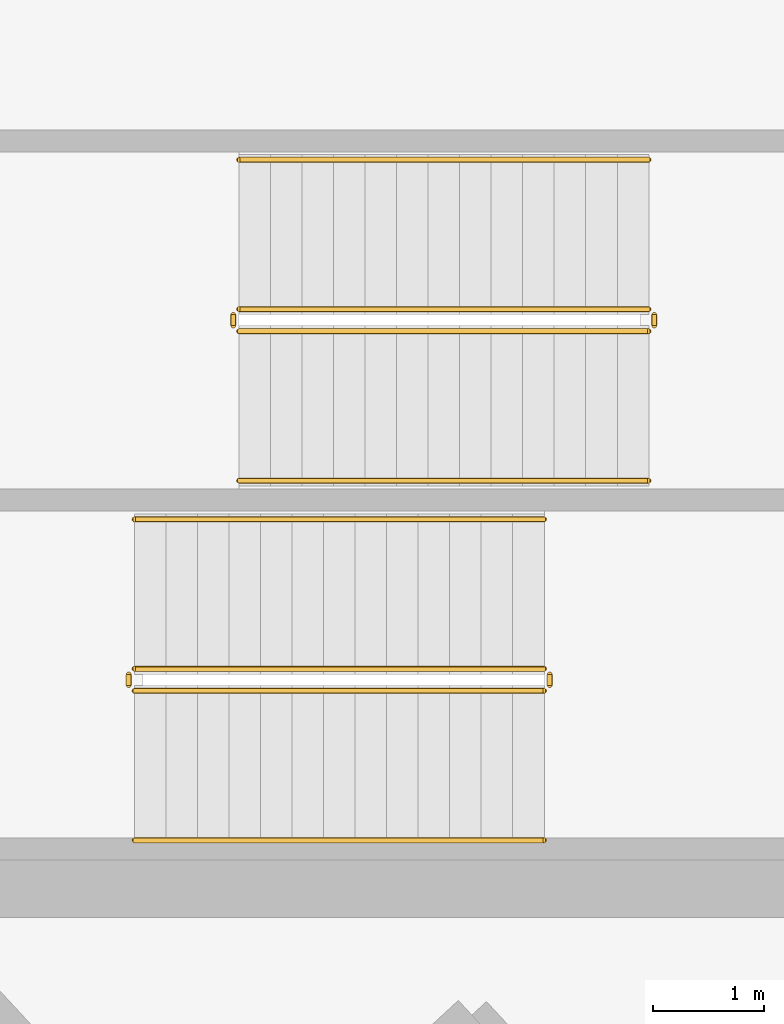
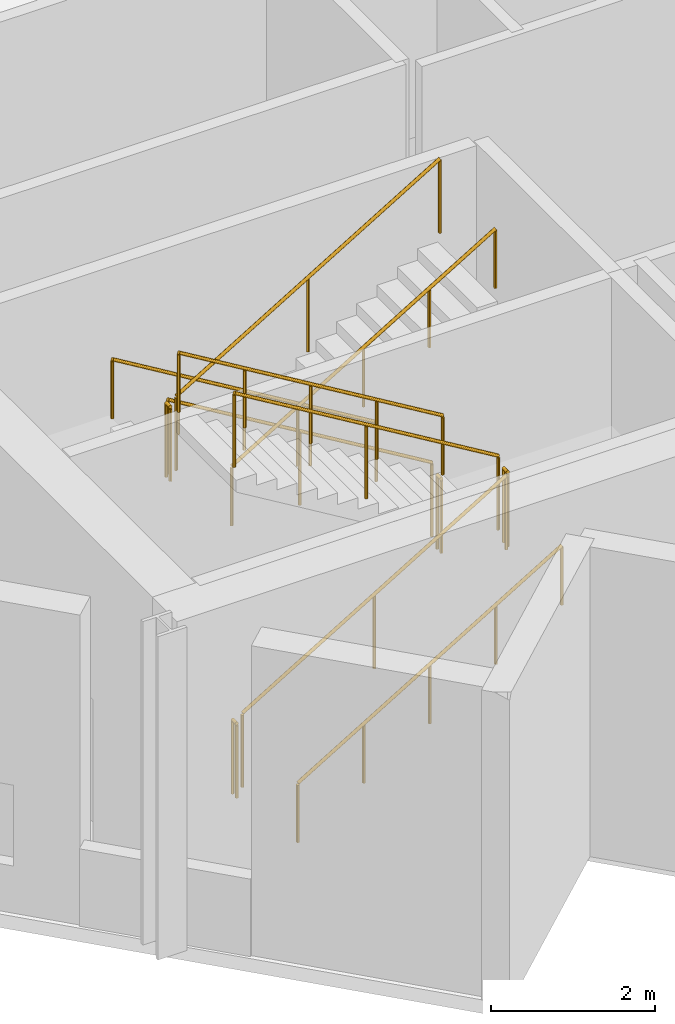
# One storey, part 11 of 12: 12 railings.
"""IFC4 building model written with IfcOpenShell, lengths in metres."""

from ifc_helpers import new_model, si_unit, direction, frame, origin, origin_2d, place, context, subcontext, project, spatial, circle, extrude, material, type_object, element, save


model = new_model("IFC4")

# Units and contexts
model_context = context("Model", 3, precision=1e-05, world=origin(), true_north=direction((0.0, 1.0)))
body_context = subcontext(model_context, "Body", "Model", "MODEL_VIEW")
ifc_project = project(units=[si_unit("LENGTHUNIT", "METRE"), si_unit("AREAUNIT", "SQUARE_METRE"), si_unit("VOLUMEUNIT", "CUBIC_METRE"), si_unit("PLANEANGLEUNIT", "RADIAN"), si_unit("MASSUNIT", "GRAM", prefix="KILO")], contexts=[model_context])

# Site, building, storey
site_placement = place(None, origin())
site = spatial("IfcSite", under=ifc_project, at=site_placement, CompositionType="ELEMENT")
building_placement = place(site_placement, origin())
building = spatial("IfcBuilding", under=site, at=building_placement, Name="Narakoshi Arena Tower", CompositionType="ELEMENT")
storey_placement = place(building_placement, frame((0.0, 0.0, 302.97998046875)))
storey = spatial("IfcBuildingStorey", under=building, at=storey_placement, Name="L82", CompositionType="ELEMENT", Elevation=302.97998046875)

# Railings
ifc_material_1 = material(Name="Clear low-iron laminated structural glass", Category="glass")
railing_type_1 = type_object("IfcRailingType", Name="RL-BAL-1100", PredefinedType="BALUSTRADE", material=ifc_material_1)
railing_1_placement = place(storey_placement, frame((74.39990234375, 36.949951171875, 0.17138671875)))
element("IfcRailing", 1, at=railing_1_placement, inside=storey, type_object=railing_type_1, Name="L82 ST1 stair guard 1", PredefinedType="BALUSTRADE", context=body_context, shape_type="SweptSolid", body=[
    extrude(circle(Radius=0.02392578125, at=origin_2d()), frame((0.0, 0.0, 1.09619140625), z_axis=(0.856934400257, 0.0, 0.515425487977), x_axis=(0.0, 1.0, 0.0)), (0.0, 0.0, 1.0), 4.32373046875),
    extrude(circle(Radius=0.02099609375, at=origin_2d()), origin(), (0.0, 0.0, 1.0), 1.072021484375),
    extrude(circle(Radius=0.02099609375, at=origin_2d()), frame((1.8525390625, 0.0, 1.1142578125)), (0.0, 0.0, 1.0), 1.072021484375),
    extrude(circle(Radius=0.02099609375, at=origin_2d()), frame((3.705078125, 0.0, 2.228515625)), (0.0, 0.0, 1.0), 1.072021484375),
])
railing_2_placement = place(storey_placement, frame((78.155029296875, 37.0, 2.39990234375)))
element("IfcRailing", 2, at=railing_2_placement, inside=storey, type_object=railing_type_1, Name="L82 ST1 stair guard 2", PredefinedType="BALUSTRADE", context=body_context, shape_type="SweptSolid", body=[
    extrude(circle(Radius=0.02392578125, at=origin_2d()), frame((0.0, 0.0, 1.09619140625), z_axis=(0.0, 1.0, 0.0), x_axis=(-1.0, 0.0, 0.0)), (0.0, 0.0, 1.0), 0.10009765625),
    extrude(circle(Radius=0.02099609375, at=origin_2d()), origin(), (0.0, 0.0, 1.0), 1.072021484375),
    extrude(circle(Radius=0.02099609375, at=origin_2d()), frame((0.0, 0.10009765625, 0.0)), (0.0, 0.0, 1.0), 1.072021484375),
])
railing_3_placement = place(storey_placement, frame((78.10498046875, 37.14990234375, 2.571533203125)))
element("IfcRailing", 3, at=railing_3_placement, inside=storey, type_object=railing_type_1, Name="L82 ST1 stair guard 3", PredefinedType="BALUSTRADE", context=body_context, shape_type="SweptSolid", body=[
    extrude(circle(Radius=0.02392578125, at=origin_2d()), frame((0.0, 0.0, 1.09619140625), z_axis=(-0.856934400257, 0.0, 0.515425487977), x_axis=(0.0, -1.0, 0.0)), (0.0, 0.0, 1.0), 4.32373046875),
    extrude(circle(Radius=0.02099609375, at=origin_2d()), origin(), (0.0, 0.0, 1.0), 1.072021484375),
    extrude(circle(Radius=0.02099609375, at=origin_2d()), frame((-1.8525390625, 0.0, 1.1142578125)), (0.0, 0.0, 1.0), 1.072021484375),
    extrude(circle(Radius=0.02099609375, at=origin_2d()), frame((-3.705078125, 0.0, 2.228515625)), (0.0, 0.0, 1.0), 1.072021484375),
])
railing_4_placement = place(storey_placement, frame((74.35009765625, 37.0, 0.0)))
element("IfcRailing", 4, at=railing_4_placement, inside=storey, type_object=railing_type_1, Name="L82 ST1 stair guard 4", PredefinedType="BALUSTRADE", context=body_context, shape_type="SweptSolid", body=[
    extrude(circle(Radius=0.02392578125, at=origin_2d()), frame((0.0, 0.0, 1.09619140625), z_axis=(0.0, 1.0, 0.0), x_axis=(-1.0, 0.0, 0.0)), (0.0, 0.0, 1.0), 0.10009765625),
    extrude(circle(Radius=0.02099609375, at=origin_2d()), origin(), (0.0, 0.0, 1.0), 1.072021484375),
    extrude(circle(Radius=0.02099609375, at=origin_2d()), frame((0.0, 0.10009765625, 0.0)), (0.0, 0.0, 1.0), 1.072021484375),
])
railing_5_placement = place(storey_placement, frame((79.050048828125, 40.39990234375, 0.17138671875)))
element("IfcRailing", 5, at=railing_5_placement, inside=storey, type_object=railing_type_1, Name="L82 ST2 stair guard 1", PredefinedType="BALUSTRADE", context=body_context, shape_type="SweptSolid", body=[
    extrude(circle(Radius=0.02392578125, at=origin_2d()), frame((0.0, 0.0, 1.09619140625), z_axis=(-0.856934400257, 0.0, 0.515425487977), x_axis=(0.0, -1.0, 0.0)), (0.0, 0.0, 1.0), 4.32373046875),
    extrude(circle(Radius=0.02099609375, at=origin_2d()), origin(), (0.0, 0.0, 1.0), 1.072021484375),
    extrude(circle(Radius=0.02099609375, at=origin_2d()), frame((-1.8525390625, 0.0, 1.1142578125)), (0.0, 0.0, 1.0), 1.072021484375),
    extrude(circle(Radius=0.02099609375, at=origin_2d()), frame((-3.705078125, 0.0, 2.228515625)), (0.0, 0.0, 1.0), 1.072021484375),
])
railing_6_placement = place(storey_placement, frame((75.294921875, 40.35009765625, 2.39990234375)))
element("IfcRailing", 6, at=railing_6_placement, inside=storey, type_object=railing_type_1, Name="L82 ST2 stair guard 2", PredefinedType="BALUSTRADE", context=body_context, shape_type="SweptSolid", body=[
    extrude(circle(Radius=0.02392578125, at=origin_2d()), frame((0.0, 0.0, 1.09619140625), z_axis=(0.0, -1.0, 0.0), x_axis=(1.0, 0.0, 0.0)), (0.0, 0.0, 1.0), 0.10009765625),
    extrude(circle(Radius=0.02099609375, at=origin_2d()), origin(), (0.0, 0.0, 1.0), 1.072021484375),
    extrude(circle(Radius=0.02099609375, at=origin_2d()), frame((0.0, -0.10009765625, 0.0)), (0.0, 0.0, 1.0), 1.072021484375),
])
railing_7_placement = place(storey_placement, frame((75.344970703125, 40.199951171875, 2.571533203125)))
element("IfcRailing", 7, at=railing_7_placement, inside=storey, type_object=railing_type_1, Name="L82 ST2 stair guard 3", PredefinedType="BALUSTRADE", context=body_context, shape_type="SweptSolid", body=[
    extrude(circle(Radius=0.02392578125, at=origin_2d()), frame((0.0, 0.0, 1.09619140625), z_axis=(0.856934400257, 0.0, 0.515425487977), x_axis=(0.0, 1.0, 0.0)), (0.0, 0.0, 1.0), 4.32373046875),
    extrude(circle(Radius=0.02099609375, at=origin_2d()), origin(), (0.0, 0.0, 1.0), 1.072021484375),
    extrude(circle(Radius=0.02099609375, at=origin_2d()), frame((1.8525390625, 0.0, 1.1142578125)), (0.0, 0.0, 1.0), 1.072021484375),
    extrude(circle(Radius=0.02099609375, at=origin_2d()), frame((3.705078125, 0.0, 2.228515625)), (0.0, 0.0, 1.0), 1.072021484375),
])
railing_8_placement = place(storey_placement, frame((79.10009765625, 40.35009765625, 0.0)))
element("IfcRailing", 8, at=railing_8_placement, inside=storey, type_object=railing_type_1, Name="L82 ST2 stair guard 4", PredefinedType="BALUSTRADE", context=body_context, shape_type="SweptSolid", body=[
    extrude(circle(Radius=0.02392578125, at=origin_2d()), frame((0.0, 0.0, 1.09619140625), z_axis=(0.0, -1.0, 0.0), x_axis=(1.0, 0.0, 0.0)), (0.0, 0.0, 1.0), 0.10009765625),
    extrude(circle(Radius=0.02099609375, at=origin_2d()), origin(), (0.0, 0.0, 1.0), 1.072021484375),
    extrude(circle(Radius=0.02099609375, at=origin_2d()), frame((0.0, -0.10009765625, 0.0)), (0.0, 0.0, 1.0), 1.072021484375),
])
ifc_material_2 = material(Name="Brushed bronze stainless steel", Category="steel")
railing_type_2 = type_object("IfcRailingType", Name="RL-HND-900", PredefinedType="HANDRAIL", material=ifc_material_2)
railing_9_placement = place(storey_placement, frame((74.39990234375, 35.60009765625, 0.17138671875)))
element("IfcRailing", 9, at=railing_9_placement, inside=storey, type_object=railing_type_2, Name="L82 ST1 stair handrail 1", PredefinedType="HANDRAIL", context=body_context, shape_type="SweptSolid", body=[
    extrude(circle(Radius=0.02392578125, at=origin_2d()), frame((0.0, 0.0, 0.8759765625), z_axis=(0.856934400257, 0.0, 0.515425487977), x_axis=(0.0, 1.0, 0.0)), (0.0, 0.0, 1.0), 4.32373046875),
    extrude(circle(Radius=0.02099609375, at=origin_2d()), origin(), (0.0, 0.0, 1.0), 0.851806640625),
    extrude(circle(Radius=0.02099609375, at=origin_2d()), frame((0.92626953125, 0.0, 0.55712890625)), (0.0, 0.0, 1.0), 0.851806640625),
    extrude(circle(Radius=0.02099609375, at=origin_2d()), frame((1.8525390625, 0.0, 1.1142578125)), (0.0, 0.0, 1.0), 0.851806640625),
    extrude(circle(Radius=0.02099609375, at=origin_2d()), frame((2.77880859375, 0.0, 1.67138671875)), (0.0, 0.0, 1.0), 0.851806640625),
    extrude(circle(Radius=0.02099609375, at=origin_2d()), frame((3.705078125, 0.0, 2.228515625)), (0.0, 0.0, 1.0), 0.851806640625),
])
for number, where, name in (
    (10, (78.10498046875, 38.5, 2.571533203125), "L82 ST1 stair handrail 2"),
    (11, (79.050048828125, 41.75, 0.17138671875), "L82 ST2 stair handrail 1"),
):
    element("IfcRailing", number, at=place(storey_placement, frame(where)), inside=storey, type_object=railing_type_2, Name=name, PredefinedType="HANDRAIL", context=body_context, shape_type="SweptSolid", body=[
        extrude(circle(Radius=0.02392578125, at=origin_2d()), frame((0.0, 0.0, 0.8759765625), z_axis=(-0.856934400257, 0.0, 0.515425487977), x_axis=(0.0, -1.0, 0.0)), (0.0, 0.0, 1.0), 4.32373046875),
        extrude(circle(Radius=0.02099609375, at=origin_2d()), origin(), (0.0, 0.0, 1.0), 0.851806640625),
        extrude(circle(Radius=0.02099609375, at=origin_2d()), frame((-0.92626953125, 0.0, 0.55712890625)), (0.0, 0.0, 1.0), 0.851806640625),
        extrude(circle(Radius=0.02099609375, at=origin_2d()), frame((-1.8525390625, 0.0, 1.1142578125)), (0.0, 0.0, 1.0), 0.851806640625),
        extrude(circle(Radius=0.02099609375, at=origin_2d()), frame((-2.77880859375, 0.0, 1.67138671875)), (0.0, 0.0, 1.0), 0.851806640625),
        extrude(circle(Radius=0.02099609375, at=origin_2d()), frame((-3.705078125, 0.0, 2.228515625)), (0.0, 0.0, 1.0), 0.851806640625),
    ])
railing_10_placement = place(storey_placement, frame((75.344970703125, 38.85009765625, 2.571533203125)))
element("IfcRailing", 12, at=railing_10_placement, inside=storey, type_object=railing_type_2, Name="L82 ST2 stair handrail 2", PredefinedType="HANDRAIL", context=body_context, shape_type="SweptSolid", body=[
    extrude(circle(Radius=0.02392578125, at=origin_2d()), frame((0.0, 0.0, 0.8759765625), z_axis=(0.856934400257, 0.0, 0.515425487977), x_axis=(0.0, 1.0, 0.0)), (0.0, 0.0, 1.0), 4.32373046875),
    extrude(circle(Radius=0.02099609375, at=origin_2d()), origin(), (0.0, 0.0, 1.0), 0.851806640625),
    extrude(circle(Radius=0.02099609375, at=origin_2d()), frame((0.92626953125, 0.0, 0.55712890625)), (0.0, 0.0, 1.0), 0.851806640625),
    extrude(circle(Radius=0.02099609375, at=origin_2d()), frame((1.8525390625, 0.0, 1.1142578125)), (0.0, 0.0, 1.0), 0.851806640625),
    extrude(circle(Radius=0.02099609375, at=origin_2d()), frame((2.77880859375, 0.0, 1.67138671875)), (0.0, 0.0, 1.0), 0.851806640625),
    extrude(circle(Radius=0.02099609375, at=origin_2d()), frame((3.705078125, 0.0, 2.228515625)), (0.0, 0.0, 1.0), 0.851806640625),
])

save(model, "model.ifc")
